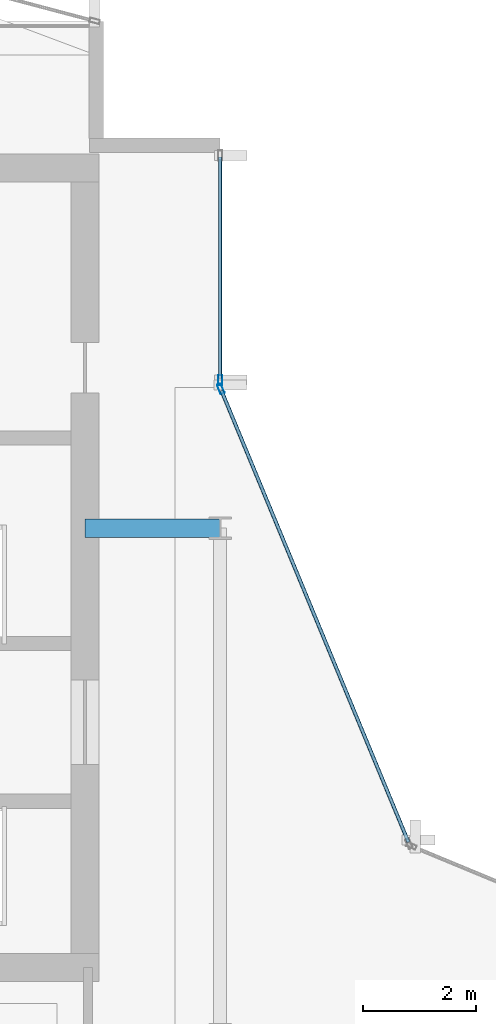
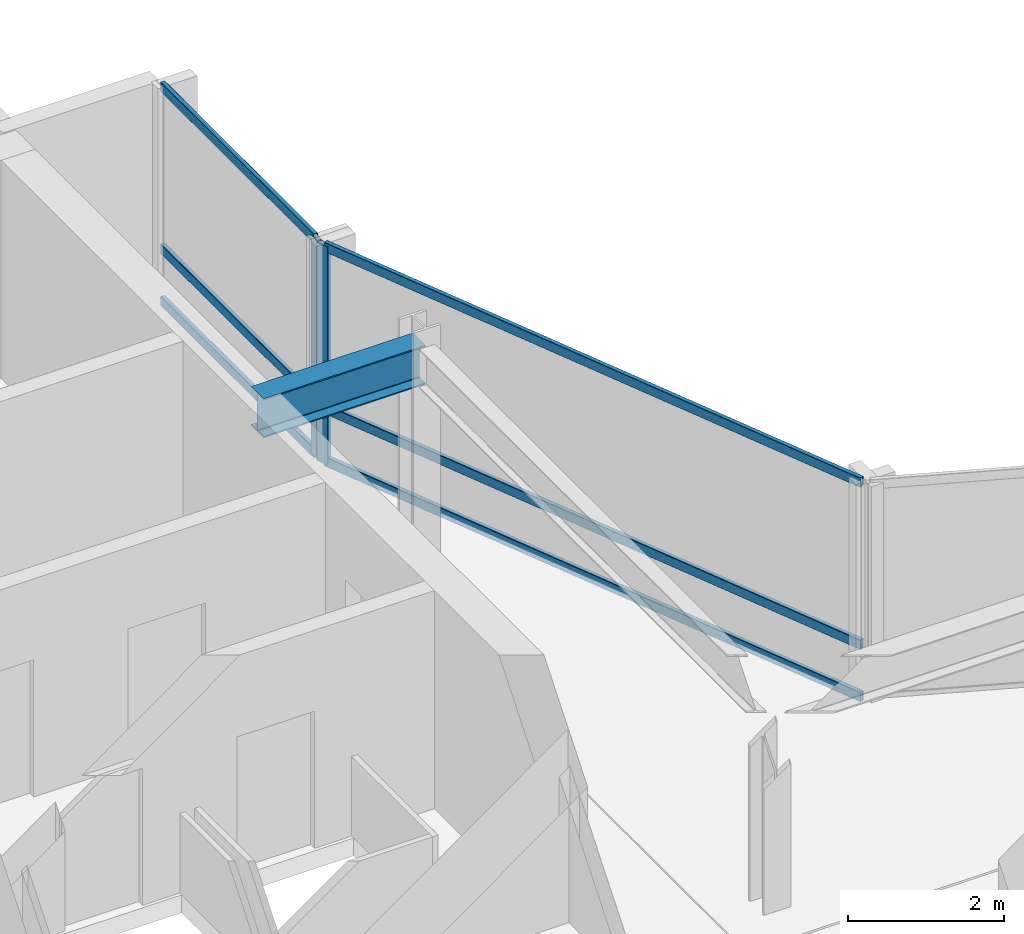
# One storey, part 17 of 28: 8 members, 1 beam, 2 elements without a shape of their own.
"""IFC4 building model written with IfcOpenShell, lengths in metres."""

from ifc_helpers import new_model, si_unit, direction, frame, origin, origin_2d, place, context, subcontext, project, spatial, hollow_rectangle, i_section, extrude, material, layer, layer_set, material_profile, profile_set, type_object, element, aggregate, save


model = new_model("IFC4")

# Units and contexts
model_context = context("Model", 3, precision=1e-05, world=origin(), true_north=direction((0.0, 1.0)))
body_context = subcontext(model_context, "Body", "Model", "MODEL_VIEW")
ifc_project = project(units=[si_unit("LENGTHUNIT", "METRE"), si_unit("AREAUNIT", "SQUARE_METRE"), si_unit("VOLUMEUNIT", "CUBIC_METRE"), si_unit("PLANEANGLEUNIT", "RADIAN"), si_unit("MASSUNIT", "GRAM", prefix="KILO")], contexts=[model_context])

# Site, building, storey
site_placement = place(None, origin())
site = spatial("IfcSite", under=ifc_project, at=site_placement, CompositionType="ELEMENT")
building_placement = place(site_placement, origin())
building = spatial("IfcBuilding", under=site, at=building_placement, Name="Solvaryn Broadcast Tower", CompositionType="ELEMENT")
storey_placement = place(building_placement, frame((0.0, 0.0, 209.89990234375)))
storey = spatial("IfcBuildingStorey", under=building, at=storey_placement, Name="L52", CompositionType="ELEMENT", Elevation=209.89990234375)

# Beam
ifc_material_1 = material(Name="Steel ASTM A992 Grade 50", Category="steel")
ifc_material_profile_1 = material_profile(ifc_material_1, i_section(OverallWidth=0.323974609375, OverallDepth=0.611083984375, WebThickness=0.0126953125, FlangeThickness=0.01904296875, FilletRadius=0.014892578125, at=origin_2d()))
ifc_profile_set_1 = profile_set([ifc_material_profile_1], Name="Steel ASTM A992 Grade 50")
beam_type = type_object("IfcBeamType", Name="BM-B1-W24X104", PredefinedType="BEAM", material=ifc_profile_set_1)
beam_placement = place(storey_placement, frame((24.60009765625, 36.0, 3.114501953125), z_axis=(1.0, 0.0, 0.0), x_axis=(0.0, 1.0, 0.0)))
element("IfcBeam", 1, at=beam_placement, inside=storey, type_object=beam_type, Name="L52 Core Tie Beam CTW2", PredefinedType="BEAM", context=body_context, shape_type="SweptSolid", body=[
    extrude(i_section(OverallWidth=0.323974609375, OverallDepth=0.611083984375, WebThickness=0.0126953125, FlangeThickness=0.01904296875, FilletRadius=0.014892578125, at=origin_2d()), origin(), (0.0, 0.0, 1.0), 2.39990234375),
])

# Curtain wall, member
ifc_material_2 = material(Name="Aluminium and Terracotta Unitised Curtain Wall", Category="masonry")
ifc_layer = layer(ifc_material_2, 0.199951171875)
ifc_layer_set = layer_set([ifc_layer], Name="CW-SYS2-LOWMID")
curtain_wall_type = type_object("IfcCurtainWallType", Name="CW-SYS2-LOWMID", PredefinedType="NOTDEFINED", material=ifc_layer_set)
curtain_wall_1_placement = place(storey_placement, origin())
curtain_wall_1 = element("IfcCurtainWall", 2, at=curtain_wall_1_placement, inside=storey, type_object=curtain_wall_type, Name="L52 Curtain Wall IV", PredefinedType="NOTDEFINED")
ifc_material_3 = material(Name="Anodised Aluminium 6063-T6", Category="aluminium")
ifc_material_profile_2 = material_profile(ifc_material_3, hollow_rectangle(XDim=0.074951171875, YDim=0.179931640625, WallThickness=0.00390625, InnerFilletRadius=0.00390625, OuterFilletRadius=0.008056640625, at=origin_2d()))
ifc_profile_set_2 = profile_set([ifc_material_profile_2], Name="Anodised Aluminium 6063-T6")
member_type_1 = type_object("IfcMemberType", Name="CW-MUL-180", PredefinedType="MULLION", material=ifc_profile_set_2)
member_1_placement = place(storey_placement, frame((27.0, 38.6298828125, 0.0), z_axis=(0.0, 0.0, 1.0), x_axis=(1.0, 0.0, 0.0)))
member_1 = element("IfcMember", 3, at=member_1_placement, type_object=member_type_1, Name="CWS2 mullion 2", PredefinedType="MULLION", context=body_context, shape_type="SweptSolid", body=[
    extrude(hollow_rectangle(XDim=0.074951171875, YDim=0.179931640625, WallThickness=0.00390625, InnerFilletRadius=0.00390625, OuterFilletRadius=0.008056640625, at=origin_2d()), origin(), (0.0, 0.0, 1.0), 3.420166015625),
])

curtain_wall_2_placement = place(storey_placement, origin())
curtain_wall_2 = element("IfcCurtainWall", 4, at=curtain_wall_2_placement, inside=storey, type_object=curtain_wall_type, Name="L52 Curtain Wall CN2", PredefinedType="NOTDEFINED")
member_2_placement = place(storey_placement, frame((27.011474609375, 38.47216796875, 0.0), z_axis=(0.0, 0.0, 1.0), x_axis=(-0.923894983957, -0.382646127145, 0.0)))
member_2 = element("IfcMember", 5, at=member_2_placement, type_object=member_type_1, Name="CWS2 mullion 2", PredefinedType="MULLION", context=body_context, shape_type="SweptSolid", body=[
    extrude(hollow_rectangle(XDim=0.074951171875, YDim=0.179931640625, WallThickness=0.00390625, InnerFilletRadius=0.00390625, OuterFilletRadius=0.008056640625, at=origin_2d()), origin(), (0.0, 0.0, 1.0), 3.420166015625),
])

# Member
ifc_material_4 = material(Name="Anodised Aluminium 6063-T6", Category="aluminium")
ifc_material_profile_3 = material_profile(ifc_material_4, hollow_rectangle(XDim=0.06494140625, YDim=0.14990234375, WallThickness=0.00390625, InnerFilletRadius=0.00390625, OuterFilletRadius=0.008056640625, at=origin_2d()))
ifc_profile_set_3 = profile_set([ifc_material_profile_3], Name="Anodised Aluminium 6063-T6")
member_type_2 = type_object("IfcMemberType", Name="CW-TRN-150", PredefinedType="USERDEFINED", material=ifc_profile_set_3)
member_3_placement = place(storey_placement, frame((27.0, 42.590087890625, 0.030029296875), z_axis=(0.0, -1.0, 0.0), x_axis=(1.0, 0.0, 0.0)))
member_3 = element("IfcMember", 6, at=member_3_placement, type_object=member_type_2, Name="CWS2 transom 1.1", ObjectType="TRANSOM", PredefinedType="USERDEFINED", context=body_context, shape_type="SweptSolid", body=[
    extrude(hollow_rectangle(XDim=0.06494140625, YDim=0.14990234375, WallThickness=0.00390625, InnerFilletRadius=0.00390625, OuterFilletRadius=0.008056640625, at=origin_2d()), origin(), (0.0, 0.0, 1.0), 3.93017578125),
])

member_4_placement = place(storey_placement, frame((27.0, 42.590087890625, 0.85009765625), z_axis=(0.0, -1.0, 0.0), x_axis=(1.0, 0.0, 0.0)))
member_4 = element("IfcMember", 7, at=member_4_placement, type_object=member_type_2, Name="CWS2 transom 1.2", ObjectType="TRANSOM", PredefinedType="USERDEFINED", context=body_context, shape_type="SweptSolid", body=[
    extrude(hollow_rectangle(XDim=0.06494140625, YDim=0.14990234375, WallThickness=0.00390625, InnerFilletRadius=0.00390625, OuterFilletRadius=0.008056640625, at=origin_2d()), origin(), (0.0, 0.0, 1.0), 3.93017578125),
])

member_5_placement = place(storey_placement, frame((27.0, 42.590087890625, 3.39013671875), z_axis=(0.0, -1.0, 0.0), x_axis=(1.0, 0.0, 0.0)))
member_5 = element("IfcMember", 8, at=member_5_placement, type_object=member_type_2, Name="CWS2 transom 1.3", ObjectType="TRANSOM", PredefinedType="USERDEFINED", context=body_context, shape_type="SweptSolid", body=[
    extrude(hollow_rectangle(XDim=0.06494140625, YDim=0.14990234375, WallThickness=0.00390625, InnerFilletRadius=0.00390625, OuterFilletRadius=0.008056640625, at=origin_2d()), origin(), (0.0, 0.0, 1.0), 3.93017578125),
])

aggregate(curtain_wall_1, [member_1, member_3, member_4, member_5])

member_6_placement = place(storey_placement, frame((30.344970703125, 30.42333984375, 0.030029296875), z_axis=(-0.382635748975, 0.923899282177, 0.0), x_axis=(-0.923899282177, -0.382635748975, 0.0)))
member_6 = element("IfcMember", 9, at=member_6_placement, type_object=member_type_2, Name="CWS2 transom 1.1", ObjectType="TRANSOM", PredefinedType="USERDEFINED", context=body_context, shape_type="SweptSolid", body=[
    extrude(hollow_rectangle(XDim=0.06494140625, YDim=0.14990234375, WallThickness=0.00390625, InnerFilletRadius=0.00390625, OuterFilletRadius=0.008056640625, at=origin_2d()), origin(), (0.0, 0.0, 1.0), 8.681884765625),
])

member_7_placement = place(storey_placement, frame((30.344970703125, 30.42333984375, 0.85009765625), z_axis=(-0.382635748975, 0.923899282177, 0.0), x_axis=(-0.923899282177, -0.382635748975, 0.0)))
member_7 = element("IfcMember", 10, at=member_7_placement, type_object=member_type_2, Name="CWS2 transom 1.2", ObjectType="TRANSOM", PredefinedType="USERDEFINED", context=body_context, shape_type="SweptSolid", body=[
    extrude(hollow_rectangle(XDim=0.06494140625, YDim=0.14990234375, WallThickness=0.00390625, InnerFilletRadius=0.00390625, OuterFilletRadius=0.008056640625, at=origin_2d()), origin(), (0.0, 0.0, 1.0), 8.681884765625),
])

member_8_placement = place(storey_placement, frame((30.344970703125, 30.42333984375, 3.39013671875), z_axis=(-0.382635748975, 0.923899282177, 0.0), x_axis=(-0.923899282177, -0.382635748975, 0.0)))
member_8 = element("IfcMember", 11, at=member_8_placement, type_object=member_type_2, Name="CWS2 transom 1.3", ObjectType="TRANSOM", PredefinedType="USERDEFINED", context=body_context, shape_type="SweptSolid", body=[
    extrude(hollow_rectangle(XDim=0.06494140625, YDim=0.14990234375, WallThickness=0.00390625, InnerFilletRadius=0.00390625, OuterFilletRadius=0.008056640625, at=origin_2d()), origin(), (0.0, 0.0, 1.0), 8.681884765625),
])

aggregate(curtain_wall_2, [member_2, member_6, member_7, member_8])

save(model, "model.ifc")
